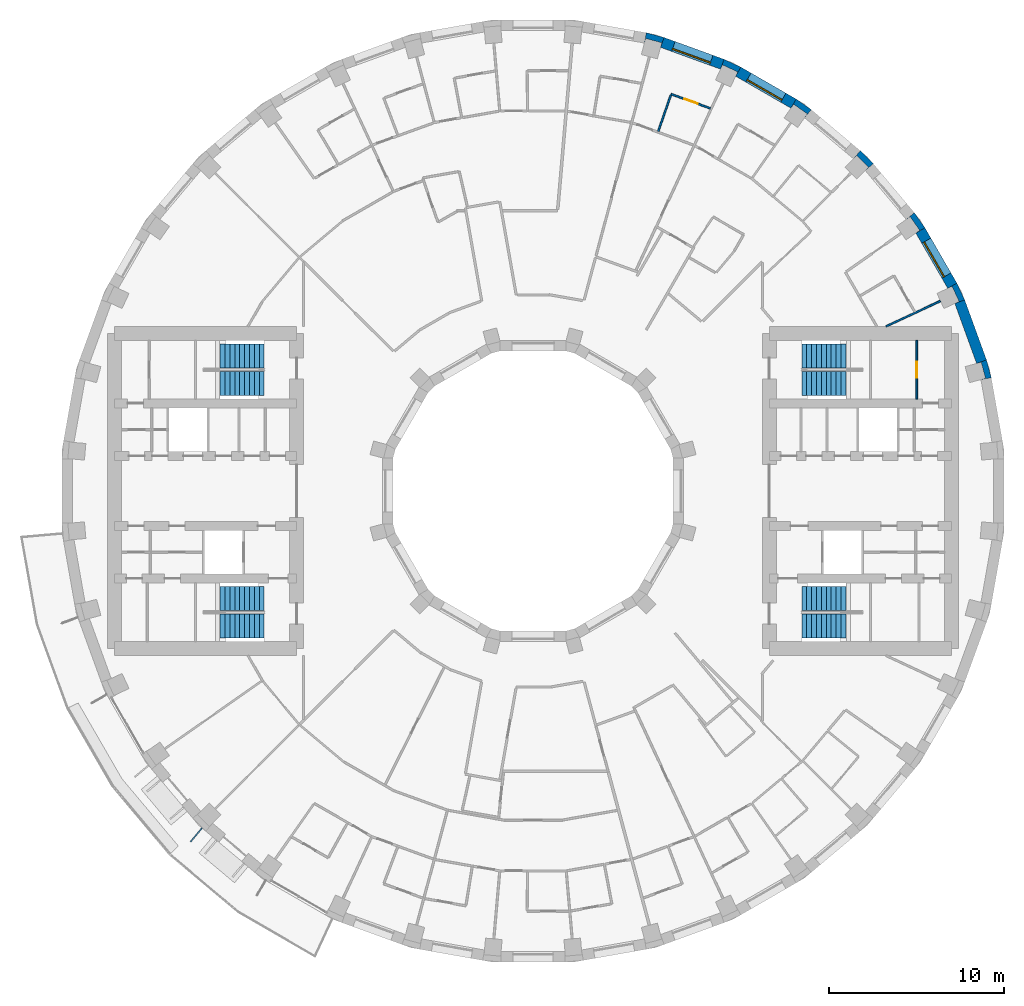
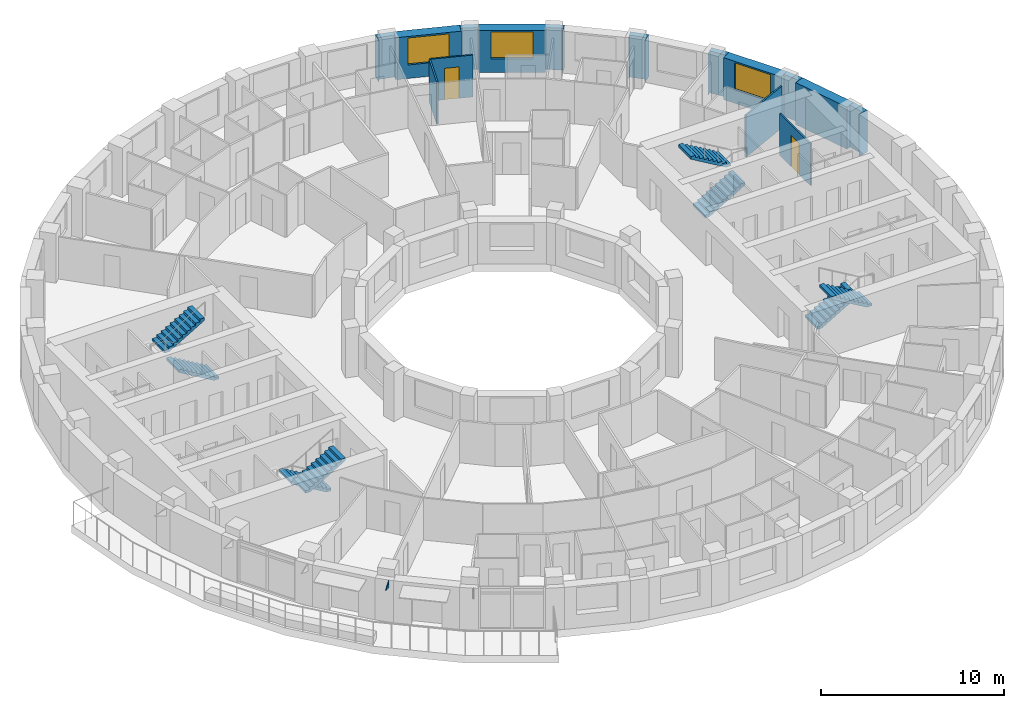
# One storey, part 14 of 16: 15 walls, 8 stair flights, 3 windows, 2 doors, 1 discrete accessory, 5 openings, 4 elements without a shape of their own.
"""IFC4 building model written with IfcOpenShell, lengths in metres."""

from ifc_helpers import new_model, si_unit, direction, frame, frame_2d, origin, place, context, subcontext, project, spatial, polyline, rectangle, outline, extrude, material, layer, layer_set, type_object, element, fill, aggregate, save


model = new_model("IFC4")

# Units and contexts
model_context = context("Model", 3, precision=1e-05, world=origin(), true_north=direction((0.0, 1.0)))
body_context = subcontext(model_context, "Body", "Model", "MODEL_VIEW")
ifc_project = project(units=[si_unit("LENGTHUNIT", "METRE"), si_unit("AREAUNIT", "SQUARE_METRE"), si_unit("VOLUMEUNIT", "CUBIC_METRE"), si_unit("PLANEANGLEUNIT", "RADIAN"), si_unit("MASSUNIT", "GRAM", prefix="KILO")], contexts=[model_context])

# Site, building, storey
site_placement = place(None, origin())
site = spatial("IfcSite", under=ifc_project, at=site_placement, CompositionType="ELEMENT")
building_placement = place(site_placement, origin())
building = spatial("IfcBuilding", under=site, at=building_placement, Name="Saqina Gate Tower", CompositionType="ELEMENT")
storey_placement = place(building_placement, frame((0.0, 0.0, 124.89990234375)))
storey = spatial("IfcBuildingStorey", under=building, at=storey_placement, Name="L35", CompositionType="ELEMENT", Elevation=124.89990234375)

# Walls
ifc_material_1 = material(Name="Brick masonry (buff)", Category="masonry")
wall_type_1 = type_object("IfcWallType", Name="BRICK PIER COPING BUFF", PredefinedType="SOLIDWALL", material=ifc_material_1)
wall_1_placement = place(storey_placement, origin())
element("IfcWall", 1, at=wall_1_placement, inside=storey, type_object=wall_type_1, Name="Pier cap L35 column 2", PredefinedType="SOLIDWALL", context=body_context, shape_type="SweptSolid", body=[
    extrude(outline(polyline([(26.171875, 6.466796875), (25.89892578125, 7.485595703125), (25.335205078125, 7.2802734375), (25.5947265625, 7.349853515625), (25.8408203125, 6.43212890625), (25.5810546875, 6.36279296875), (26.171875, 6.466796875)])), origin(), (0.0, 0.0, 1.0), 2.800048828125),
])
wall_2_placement = place(storey_placement, origin())
element("IfcWall", 2, at=wall_2_placement, inside=storey, type_object=wall_type_1, Name="Pier cap L35 column 3", PredefinedType="SOLIDWALL", context=body_context, shape_type="SweptSolid", body=[
    extrude(outline(polyline([(24.6513671875, 10.913330078125), (24.205810546875, 11.869140625), (23.68603515625, 11.569091796875), (23.9296875, 11.6826171875), (24.331298828125, 10.82177734375), (24.08740234375, 10.7080078125), (24.6513671875, 10.913330078125)])), origin(), (0.0, 0.0, 1.0), 2.800048828125),
])
wall_3_placement = place(storey_placement, origin())
element("IfcWall", 3, at=wall_3_placement, inside=storey, type_object=wall_type_1, Name="Pier cap L35 column 4", PredefinedType="SOLIDWALL", context=body_context, shape_type="SweptSolid", body=[
    extrude(outline(polyline([(21.77685546875, 15.89208984375), (21.317138671875, 15.50634765625), (21.53759765625, 15.66064453125), (22.08251953125, 14.88232421875), (21.862060546875, 14.728271484375), (22.3818359375, 15.0283203125), (21.77685546875, 15.89208984375)])), origin(), (0.0, 0.0, 1.0), 2.800048828125),
])
wall_4_placement = place(storey_placement, origin())
element("IfcWall", 4, at=wall_4_placement, inside=storey, type_object=wall_type_1, Name="Pier cap L35 column 5", PredefinedType="SOLIDWALL", context=body_context, shape_type="SweptSolid", body=[
    extrude(outline(polyline([(19.43212890625, 18.686279296875), (18.686279296875, 19.43212890625), (18.30078125, 18.972412109375), (18.49072265625, 19.16259765625), (19.16259765625, 18.49072265625), (18.972412109375, 18.30078125), (19.43212890625, 18.686279296875)])), origin(), (0.0, 0.0, 1.0), 2.800048828125),
])
wall_5_placement = place(storey_placement, origin())
element("IfcWall", 5, at=wall_5_placement, inside=storey, type_object=wall_type_1, Name="Pier cap L35 column 6", PredefinedType="SOLIDWALL", context=body_context, shape_type="SweptSolid", body=[
    extrude(outline(polyline([(15.0283203125, 22.3818359375), (14.728271484375, 21.862060546875), (14.88232421875, 22.08251953125), (15.66064453125, 21.53759765625), (15.50634765625, 21.317138671875), (15.89208984375, 21.77685546875), (15.0283203125, 22.3818359375)])), origin(), (0.0, 0.0, 1.0), 2.800048828125),
])
wall_6_placement = place(storey_placement, origin())
element("IfcWall", 6, at=wall_6_placement, inside=storey, type_object=wall_type_1, Name="Pier cap L35 column 7", PredefinedType="SOLIDWALL", context=body_context, shape_type="SweptSolid", body=[
    extrude(outline(polyline([(10.913330078125, 24.6513671875), (10.7080078125, 24.08740234375), (10.82177734375, 24.331298828125), (11.6826171875, 23.9296875), (11.569091796875, 23.68603515625), (11.869140625, 24.205810546875), (10.913330078125, 24.6513671875)])), origin(), (0.0, 0.0, 1.0), 2.800048828125),
])
wall_7_placement = place(storey_placement, origin())
element("IfcWall", 7, at=wall_7_placement, inside=storey, type_object=wall_type_1, Name="Pier cap L35 column 8", PredefinedType="SOLIDWALL", context=body_context, shape_type="SweptSolid", body=[
    extrude(outline(polyline([(7.485595703125, 25.89892578125), (6.466796875, 26.171875), (6.36279296875, 25.5810546875), (6.43212890625, 25.8408203125), (7.349853515625, 25.5947265625), (7.2802734375, 25.335205078125), (7.485595703125, 25.89892578125)])), origin(), (0.0, 0.0, 1.0), 2.800048828125),
])

# Wall, opening, door
ifc_material_2 = material(Name="Gypsum board on steel studs", Category="steel")
ifc_layer_1 = layer(ifc_material_2, 0.10009765625)
ifc_layer_set_1 = layer_set([ifc_layer_1], Name="CORE PARTITION")
wall_type_2 = type_object("IfcWallType", Name="CORE PARTITION", PredefinedType="PARTITIONING", material=ifc_layer_set_1)
wall_8_placement = place(storey_placement, frame((21.91162109375, 5.25, 0.0), z_axis=(0.0, 0.0, 1.0), x_axis=(0.0, 1.0, 0.0)))
wall_8 = element("IfcWall", 8, at=wall_8_placement, inside=storey, type_object=wall_type_2, Name="L35-CP-E14", PredefinedType="PARTITIONING", context=body_context, shape_type="SweptSolid", body=[
    extrude(rectangle(XDim=3.35009765625, YDim=0.10009765625, at=frame_2d((1.675048828125, 0.0))), origin(), (0.0, 0.0, 1.0), 2.800048828125),
])
opening_1_placement = place(wall_8_placement, frame((1.22509765625, 0.0, 0.0)))
opening_1 = element("IfcOpeningElement", 9, at=opening_1_placement, cuts=wall_8, Name="Opening G10-D100", PredefinedType="OPENING", context=body_context, shape_type="SweptSolid", body=[
    extrude(rectangle(XDim=0.89990234375, YDim=2.10009765625, at=frame_2d((0.449951171875, 1.050048828125))), frame((0.0, 0.06201171875, 0.0), z_axis=(0.0, -1.0, 0.0), x_axis=(1.0, 0.0, 0.0)), (0.0, 0.0, 1.0), 0.1240234375),
])
ifc_material_3 = material(Name="Steel-framed fire door leaf, EI 60", Category="steel")
door_type_1 = type_object("IfcDoorType", Name="SERVICE ROOM DOOR 900", OperationType="SINGLE_SWING_LEFT", PredefinedType="DOOR", material=ifc_material_3)
door_1_placement = place(opening_1_placement, origin())
door_1 = element("IfcDoor", 10, at=door_1_placement, inside=storey, type_object=door_type_1, Name="L35-CD-E11", OperationType="SINGLE_SWING_RIGHT", OverallHeight=2.10009765625, OverallWidth=0.89990234375, PredefinedType="DOOR", context=body_context, shape_type="SweptSolid", body=[
    extrude(rectangle(XDim=0.89990234375, YDim=2.10009765625, at=frame_2d((0.449951171875, 1.050048828125))), frame((0.0, 0.02490234375, 0.0), z_axis=(0.0, -1.0, 0.0), x_axis=(1.0, 0.0, 0.0)), (0.0, 0.0, 1.0), 0.050048828125),
])
fill(opening_1, door_1)

# Wall, opening, window
ifc_material_4 = material(Name="Brick masonry (buff)", Category="masonry")
ifc_layer_2 = layer(ifc_material_4, 0.60009765625)
ifc_layer_set_2 = layer_set([ifc_layer_2], Name="FW-BRICK-BUFF")
wall_type_3 = type_object("IfcWallType", Name="FW-BRICK-BUFF", PredefinedType="SOLIDWALL", material=ifc_layer_set_2)
wall_9_placement = place(storey_placement, frame((23.94580078125, 11.718994140625, 0.0), z_axis=(0.0, 0.0, 1.0), x_axis=(-0.499954196102, 0.866051847062, 0.0)))
wall_9 = element("IfcWall", 11, at=wall_9_placement, inside=storey, type_object=wall_type_3, Name="Facade wall L35 facet 3", PredefinedType="SOLIDWALL", context=body_context, shape_type="SweptSolid", body=[
    extrude(rectangle(XDim=3.647705078125, YDim=0.60009765625, at=frame_2d((1.82373046875, 0.0))), origin(), (0.0, 0.0, 1.0), 2.800048828125),
])
opening_2_placement = place(wall_9_placement, frame((0.673828125, 0.0, 0.89990234375)))
opening_2 = element("IfcOpeningElement", 12, at=opening_2_placement, cuts=wall_9, Name="Opening G10-W01", PredefinedType="OPENING", context=body_context, shape_type="SweptSolid", body=[
    extrude(rectangle(XDim=2.300048828125, YDim=1.800048828125, at=frame_2d((1.14990234375, 0.89990234375))), frame((0.0, 0.31201171875, 0.0), z_axis=(0.0, -1.0, 0.0), x_axis=(1.0, 0.0, 0.0)), (0.0, 0.0, 1.0), 0.6240234375),
])
ifc_material_5 = material(Name="Aluminium glazing", Category="aluminium")
window_type = type_object("IfcWindowType", Name="WN-B", PartitioningType="SINGLE_PANEL", PredefinedType="WINDOW", material=ifc_material_5)
window_1_placement = place(opening_2_placement, origin())
window_1 = element("IfcWindow", 13, at=window_1_placement, inside=storey, type_object=window_type, Name="Window L35 facet 3", OverallHeight=1.800048828125, OverallWidth=2.300048828125, PartitioningType="SINGLE_PANEL", PredefinedType="WINDOW", context=body_context, shape_type="SweptSolid", body=[
    extrude(rectangle(XDim=2.300048828125, YDim=1.800048828125, at=frame_2d((1.14990234375, 0.89990234375))), frame((0.0, 0.179931640625, 0.0), z_axis=(0.0, -1.0, 0.0), x_axis=(1.0, 0.0, 0.0)), (0.0, 0.0, 1.0), 0.06005859375),
])
fill(opening_2, window_1)

wall_10_placement = place(storey_placement, frame((14.878173828125, 22.1220703125, 0.0), z_axis=(0.0, 0.0, 1.0), x_axis=(-0.866051847062, 0.499954196102, 0.0)))
wall_10 = element("IfcWall", 14, at=wall_10_placement, inside=storey, type_object=wall_type_3, Name="Facade wall L35 facet 6", PredefinedType="SOLIDWALL", context=body_context, shape_type="SweptSolid", body=[
    extrude(rectangle(XDim=3.647705078125, YDim=0.60009765625, at=frame_2d((1.82373046875, 0.0))), origin(), (0.0, 0.0, 1.0), 2.800048828125),
])
opening_3_placement = place(wall_10_placement, frame((0.673828125, 0.0, 0.89990234375)))
opening_3 = element("IfcOpeningElement", 15, at=opening_3_placement, cuts=wall_10, Name="Opening G10-W04", PredefinedType="OPENING", context=body_context, shape_type="SweptSolid", body=[
    extrude(rectangle(XDim=2.300048828125, YDim=1.800048828125, at=frame_2d((1.14990234375, 0.89990234375))), frame((0.0, 0.31201171875, 0.0), z_axis=(0.0, -1.0, 0.0), x_axis=(1.0, 0.0, 0.0)), (0.0, 0.0, 1.0), 0.6240234375),
])
window_2_placement = place(opening_3_placement, origin())
window_2 = element("IfcWindow", 16, at=window_2_placement, inside=storey, type_object=window_type, Name="Window L35 facet 6", OverallHeight=1.800048828125, OverallWidth=2.300048828125, PartitioningType="SINGLE_PANEL", PredefinedType="WINDOW", context=body_context, shape_type="SweptSolid", body=[
    extrude(rectangle(XDim=2.300048828125, YDim=1.800048828125, at=frame_2d((1.14990234375, 0.89990234375))), frame((0.0, 0.179931640625, 0.0), z_axis=(0.0, -1.0, 0.0), x_axis=(1.0, 0.0, 0.0)), (0.0, 0.0, 1.0), 0.06005859375),
])
fill(opening_3, window_2)

wall_11_placement = place(storey_placement, frame((10.810791015625, 24.369384765625, 0.0), z_axis=(0.0, 0.0, 1.0), x_axis=(-0.939703505393, 0.341990236633, 0.0)))
wall_11 = element("IfcWall", 17, at=wall_11_placement, inside=storey, type_object=wall_type_3, Name="Facade wall L35 facet 7", PredefinedType="SOLIDWALL", context=body_context, shape_type="SweptSolid", body=[
    extrude(rectangle(XDim=3.64794921875, YDim=0.60009765625, at=frame_2d((1.823974609375, 0.0))), origin(), (0.0, 0.0, 1.0), 2.800048828125),
])
opening_4_placement = place(wall_11_placement, frame((0.673828125, 0.0, 0.89990234375)))
opening_4 = element("IfcOpeningElement", 18, at=opening_4_placement, cuts=wall_11, Name="Opening G10-W05", PredefinedType="OPENING", context=body_context, shape_type="SweptSolid", body=[
    extrude(rectangle(XDim=2.300048828125, YDim=1.800048828125, at=frame_2d((1.14990234375, 0.89990234375))), frame((0.0, 0.31201171875, 0.0), z_axis=(0.0, -1.0, 0.0), x_axis=(1.0, 0.0, 0.0)), (0.0, 0.0, 1.0), 0.6240234375),
])
window_3_placement = place(opening_4_placement, origin())
window_3 = element("IfcWindow", 19, at=window_3_placement, inside=storey, type_object=window_type, Name="Window L35 facet 7", OverallHeight=1.800048828125, OverallWidth=2.300048828125, PartitioningType="SINGLE_PANEL", PredefinedType="WINDOW", context=body_context, shape_type="SweptSolid", body=[
    extrude(rectangle(XDim=2.300048828125, YDim=1.800048828125, at=frame_2d((1.14990234375, 0.89990234375))), frame((0.0, 0.179931640625, 0.0), z_axis=(0.0, -1.0, 0.0), x_axis=(1.0, 0.0, 0.0)), (0.0, 0.0, 1.0), 0.06005859375),
])
fill(opening_4, window_3)

# Wall
ifc_material_6 = material(Name="Glazed ceramic tile", Category="ceramic")
ifc_layer_3 = layer(ifc_material_6, 0.60009765625)
ifc_layer_set_3 = layer_set([ifc_layer_3], Name="FW-TILE")
wall_type_4 = type_object("IfcWallType", Name="FW-TILE", PredefinedType="SOLIDWALL", material=ifc_layer_set_3)
wall_12_placement = place(storey_placement, frame((25.616943359375, 7.3828125, 0.0), z_axis=(0.0, 0.0, 1.0), x_axis=(-0.341990236633, 0.939703505393, 0.0)))
element("IfcWall", 20, at=wall_12_placement, inside=storey, type_object=wall_type_4, Name="Facade wall L35 facet 2", PredefinedType="SOLIDWALL", context=body_context, shape_type="SweptSolid", body=[
    extrude(rectangle(XDim=3.64794921875, YDim=0.60009765625, at=frame_2d((1.823974609375, 0.0))), origin(), (0.0, 0.0, 1.0), 2.800048828125),
])

# Wall, opening, door
ifc_material_7 = material(Name="Gypsum board on steel studs, 100 mm", Category="steel")
ifc_layer_4 = layer(ifc_material_7, 0.10009765625)
ifc_layer_set_4 = layer_set([ifc_layer_4], Name="PARTITION 100")
wall_type_5 = type_object("IfcWallType", Name="PARTITION 100", PredefinedType="PARTITIONING", material=ifc_layer_set_4)
wall_13_placement = place(storey_placement, frame((7.888916015625, 22.666015625, 0.0), z_axis=(0.0, 0.0, 1.0), x_axis=(0.939679950861, -0.342054951652, 0.0)))
wall_13 = element("IfcWall", 21, at=wall_13_placement, inside=storey, type_object=wall_type_5, Name="PARTITION PW3-44", PredefinedType="PARTITIONING", context=body_context, shape_type="SweptSolid", body=[
    extrude(rectangle(XDim=2.38818359375, YDim=0.10009765625, at=frame_2d((1.194091796875, 0.0))), origin(), (0.0, 0.0, 1.0), 2.800048828125),
])
opening_5_placement = place(wall_13_placement, frame((0.819091796875, 0.0, 0.0)))
opening_5 = element("IfcOpeningElement", 22, at=opening_5_placement, cuts=wall_13, Name="Opening G10-D11", PredefinedType="OPENING", context=body_context, shape_type="SweptSolid", body=[
    extrude(rectangle(XDim=0.800048828125, YDim=2.10009765625, at=frame_2d((0.39990234375, 1.050048828125))), frame((0.0, 0.06201171875, 0.0), z_axis=(0.0, -1.0, 0.0), x_axis=(1.0, 0.0, 0.0)), (0.0, 0.0, 1.0), 0.1240234375),
])
ifc_material_8 = material(Name="Timber door leaf, 800 mm", Category="wood")
door_type_2 = type_object("IfcDoorType", Name="DOOR 800 TIMBER", OperationType="SINGLE_SWING_LEFT", PredefinedType="DOOR", material=ifc_material_8)
door_2_placement = place(opening_5_placement, origin())
door_2 = element("IfcDoor", 23, at=door_2_placement, inside=storey, type_object=door_type_2, Name="DOOR G10-D11", OperationType="SINGLE_SWING_RIGHT", OverallHeight=2.10009765625, OverallWidth=0.800048828125, PredefinedType="DOOR", context=body_context, shape_type="SweptSolid", body=[
    extrude(rectangle(XDim=0.800048828125, YDim=2.10009765625, at=frame_2d((0.39990234375, 1.050048828125))), frame((0.0, 0.02490234375, 0.0), z_axis=(0.0, -1.0, 0.0), x_axis=(1.0, 0.0, 0.0)), (0.0, 0.0, 1.0), 0.050048828125),
])
fill(opening_5, door_2)

# Walls
wall_14_placement = place(storey_placement, frame((20.158447265625, 9.399169921875, 0.0), z_axis=(0.0, 0.0, 1.0), x_axis=(0.906223222272, 0.422799564114, 0.0)))
element("IfcWall", 24, at=wall_14_placement, inside=storey, type_object=wall_type_5, Name="PARTITION PW3-68", PredefinedType="PARTITIONING", context=body_context, shape_type="SweptSolid", body=[
    extrude(rectangle(XDim=3.423095703125, YDim=0.10009765625, at=frame_2d((1.71142578125, 0.0))), origin(), (0.0, 0.0, 1.0), 2.800048828125),
])
wall_15_placement = place(storey_placement, frame((7.1494140625, 20.541259765625, 0.0), z_axis=(0.0, 0.0, 1.0), x_axis=(0.328718620018, 0.944427905588, 0.0)))
element("IfcWall", 25, at=wall_15_placement, inside=storey, type_object=wall_type_5, Name="PARTITION PW3-100", PredefinedType="PARTITIONING", context=body_context, shape_type="SweptSolid", body=[
    extrude(rectangle(XDim=2.199951171875, YDim=0.10009765625, at=frame_2d((1.10009765625, 0.0))), origin(), (0.0, 0.0, 1.0), 2.800048828125),
])

# Stair, stair flights
ifc_material_9 = material(Name="Concrete C40/50", Category="concrete")
stair_type = type_object("IfcStairType", Name="EXIT STAIR", PredefinedType="HALF_TURN_STAIR", material=ifc_material_9)
stair_1_placement = place(storey_placement, origin())
stair_1 = element("IfcStair", 26, at=stair_1_placement, inside=storey, type_object=stair_type, Name="EXIT STAIR 1", PredefinedType="HALF_TURN_STAIR")
ifc_material_10 = material(Name="Concrete C40/50", Category="concrete")
stair_flight_type = type_object("IfcStairFlightType", Name="EXIT STAIR FLIGHT", PredefinedType="STRAIGHT", material=ifc_material_10)
stair_flight_1_placement = place(storey_placement, frame((15.35009765625, 6.1416015625, 0.0), z_axis=(0.0, 0.0, 1.0), x_axis=(1.0, 0.0, 0.0)))
stair_flight_1 = element("IfcStairFlight", 27, at=stair_flight_1_placement, type_object=stair_flight_type, Name="EXIT STAIR 1 FLIGHT 1", NumberOfRisers=10, NumberOfTreads=9, PredefinedType="STRAIGHT", RiserHeight=0.165, TreadLength=0.28, context=body_context, shape_type="SweptSolid", body=[
    extrude(outline(polyline([(0.0, 0.0), (0.0, 0.1650390625), (0.280029296875, 0.1650390625), (0.280029296875, 0.330078125), (0.56005859375, 0.330078125), (0.56005859375, 0.4951171875), (0.840087890625, 0.4951171875), (0.840087890625, 0.659912109375), (1.1201171875, 0.659912109375), (1.1201171875, 0.824951171875), (1.39990234375, 0.824951171875), (1.39990234375, 0.989990234375), (1.679931640625, 0.989990234375), (1.679931640625, 1.155029296875), (1.9599609375, 1.155029296875), (1.9599609375, 1.320068359375), (2.239990234375, 1.320068359375), (2.239990234375, 1.485107421875), (2.52001953125, 1.485107421875), (2.52001953125, 1.64990234375), (2.52001953125, 1.31103515625), (0.295166015625, 0.0), (0.0, 0.0)])), frame((0.0, 0.675048828125, 0.0), z_axis=(0.0, -1.0, 0.0), x_axis=(1.0, 0.0, 0.0)), (0.0, 0.0, 1.0), 1.35009765625),
])
stair_flight_2_placement = place(storey_placement, frame((17.8701171875, 7.708251953125, 1.650146484375), z_axis=(0.0, 0.0, 1.0), x_axis=(-1.0, 0.0, 0.0)))
stair_flight_2 = element("IfcStairFlight", 28, at=stair_flight_2_placement, type_object=stair_flight_type, Name="EXIT STAIR 1 FLIGHT 2", NumberOfRisers=10, NumberOfTreads=9, PredefinedType="STRAIGHT", RiserHeight=0.165, TreadLength=0.28, context=body_context, shape_type="SweptSolid", body=[
    extrude(outline(polyline([(0.0, 0.0), (0.0, 0.1650390625), (0.280029296875, 0.1650390625), (0.280029296875, 0.330078125), (0.56005859375, 0.330078125), (0.56005859375, 0.4951171875), (0.840087890625, 0.4951171875), (0.840087890625, 0.659912109375), (1.1201171875, 0.659912109375), (1.1201171875, 0.824951171875), (1.39990234375, 0.824951171875), (1.39990234375, 0.989990234375), (1.679931640625, 0.989990234375), (1.679931640625, 1.155029296875), (1.9599609375, 1.155029296875), (1.9599609375, 1.320068359375), (2.239990234375, 1.320068359375), (2.239990234375, 1.485107421875), (2.52001953125, 1.485107421875), (2.52001953125, 1.64990234375), (2.52001953125, 1.31103515625), (0.295166015625, 0.0), (0.0, 0.0)])), frame((0.0, 0.675048828125, 0.0), z_axis=(0.0, -1.0, 0.0), x_axis=(1.0, 0.0, 0.0)), (0.0, 0.0, 1.0), 1.35009765625),
])
aggregate(stair_1, [stair_flight_1, stair_flight_2])

stair_2_placement = place(storey_placement, origin())
stair_2 = element("IfcStair", 29, at=stair_2_placement, inside=storey, type_object=stair_type, Name="EXIT STAIR 2", PredefinedType="HALF_TURN_STAIR")
stair_flight_3_placement = place(storey_placement, frame((15.35009765625, -6.1416015625, 0.0), z_axis=(0.0, 0.0, 1.0), x_axis=(1.0, 0.0, 0.0)))
stair_flight_3 = element("IfcStairFlight", 30, at=stair_flight_3_placement, type_object=stair_flight_type, Name="EXIT STAIR 2 FLIGHT 1", NumberOfRisers=10, NumberOfTreads=9, PredefinedType="STRAIGHT", RiserHeight=0.165, TreadLength=0.28, context=body_context, shape_type="SweptSolid", body=[
    extrude(outline(polyline([(0.0, 0.0), (0.0, 0.1650390625), (0.280029296875, 0.1650390625), (0.280029296875, 0.330078125), (0.56005859375, 0.330078125), (0.56005859375, 0.4951171875), (0.840087890625, 0.4951171875), (0.840087890625, 0.659912109375), (1.1201171875, 0.659912109375), (1.1201171875, 0.824951171875), (1.39990234375, 0.824951171875), (1.39990234375, 0.989990234375), (1.679931640625, 0.989990234375), (1.679931640625, 1.155029296875), (1.9599609375, 1.155029296875), (1.9599609375, 1.320068359375), (2.239990234375, 1.320068359375), (2.239990234375, 1.485107421875), (2.52001953125, 1.485107421875), (2.52001953125, 1.64990234375), (2.52001953125, 1.31103515625), (0.295166015625, 0.0), (0.0, 0.0)])), frame((0.0, 0.675048828125, 0.0), z_axis=(0.0, -1.0, 0.0), x_axis=(1.0, 0.0, 0.0)), (0.0, 0.0, 1.0), 1.35009765625),
])
stair_flight_4_placement = place(storey_placement, frame((17.8701171875, -7.708251953125, 1.650146484375), z_axis=(0.0, 0.0, 1.0), x_axis=(-1.0, 0.0, 0.0)))
stair_flight_4 = element("IfcStairFlight", 31, at=stair_flight_4_placement, type_object=stair_flight_type, Name="EXIT STAIR 2 FLIGHT 2", NumberOfRisers=10, NumberOfTreads=9, PredefinedType="STRAIGHT", RiserHeight=0.165, TreadLength=0.28, context=body_context, shape_type="SweptSolid", body=[
    extrude(outline(polyline([(0.0, 0.0), (0.0, 0.1650390625), (0.280029296875, 0.1650390625), (0.280029296875, 0.330078125), (0.56005859375, 0.330078125), (0.56005859375, 0.4951171875), (0.840087890625, 0.4951171875), (0.840087890625, 0.659912109375), (1.1201171875, 0.659912109375), (1.1201171875, 0.824951171875), (1.39990234375, 0.824951171875), (1.39990234375, 0.989990234375), (1.679931640625, 0.989990234375), (1.679931640625, 1.155029296875), (1.9599609375, 1.155029296875), (1.9599609375, 1.320068359375), (2.239990234375, 1.320068359375), (2.239990234375, 1.485107421875), (2.52001953125, 1.485107421875), (2.52001953125, 1.64990234375), (2.52001953125, 1.31103515625), (0.295166015625, 0.0), (0.0, 0.0)])), frame((0.0, 0.675048828125, 0.0), z_axis=(0.0, -1.0, 0.0), x_axis=(1.0, 0.0, 0.0)), (0.0, 0.0, 1.0), 1.35009765625),
])
aggregate(stair_2, [stair_flight_3, stair_flight_4])

stair_3_placement = place(storey_placement, origin())
stair_3 = element("IfcStair", 32, at=stair_3_placement, inside=storey, type_object=stair_type, Name="EXIT STAIR 3", PredefinedType="HALF_TURN_STAIR")
stair_flight_5_placement = place(storey_placement, frame((-15.35009765625, 6.1416015625, 0.0), z_axis=(0.0, 0.0, 1.0), x_axis=(-1.0, 0.0, 0.0)))
stair_flight_5 = element("IfcStairFlight", 33, at=stair_flight_5_placement, type_object=stair_flight_type, Name="EXIT STAIR 3 FLIGHT 1", NumberOfRisers=10, NumberOfTreads=9, PredefinedType="STRAIGHT", RiserHeight=0.165, TreadLength=0.28, context=body_context, shape_type="SweptSolid", body=[
    extrude(outline(polyline([(0.0, 0.0), (0.0, 0.1650390625), (0.280029296875, 0.1650390625), (0.280029296875, 0.330078125), (0.56005859375, 0.330078125), (0.56005859375, 0.4951171875), (0.840087890625, 0.4951171875), (0.840087890625, 0.659912109375), (1.1201171875, 0.659912109375), (1.1201171875, 0.824951171875), (1.39990234375, 0.824951171875), (1.39990234375, 0.989990234375), (1.679931640625, 0.989990234375), (1.679931640625, 1.155029296875), (1.9599609375, 1.155029296875), (1.9599609375, 1.320068359375), (2.239990234375, 1.320068359375), (2.239990234375, 1.485107421875), (2.52001953125, 1.485107421875), (2.52001953125, 1.64990234375), (2.52001953125, 1.31103515625), (0.295166015625, 0.0), (0.0, 0.0)])), frame((0.0, 0.675048828125, 0.0), z_axis=(0.0, -1.0, 0.0), x_axis=(1.0, 0.0, 0.0)), (0.0, 0.0, 1.0), 1.35009765625),
])
stair_flight_6_placement = place(storey_placement, frame((-17.8701171875, 7.708251953125, 1.650146484375), z_axis=(0.0, 0.0, 1.0), x_axis=(1.0, 0.0, 0.0)))
stair_flight_6 = element("IfcStairFlight", 34, at=stair_flight_6_placement, type_object=stair_flight_type, Name="EXIT STAIR 3 FLIGHT 2", NumberOfRisers=10, NumberOfTreads=9, PredefinedType="STRAIGHT", RiserHeight=0.165, TreadLength=0.28, context=body_context, shape_type="SweptSolid", body=[
    extrude(outline(polyline([(0.0, 0.0), (0.0, 0.1650390625), (0.280029296875, 0.1650390625), (0.280029296875, 0.330078125), (0.56005859375, 0.330078125), (0.56005859375, 0.4951171875), (0.840087890625, 0.4951171875), (0.840087890625, 0.659912109375), (1.1201171875, 0.659912109375), (1.1201171875, 0.824951171875), (1.39990234375, 0.824951171875), (1.39990234375, 0.989990234375), (1.679931640625, 0.989990234375), (1.679931640625, 1.155029296875), (1.9599609375, 1.155029296875), (1.9599609375, 1.320068359375), (2.239990234375, 1.320068359375), (2.239990234375, 1.485107421875), (2.52001953125, 1.485107421875), (2.52001953125, 1.64990234375), (2.52001953125, 1.31103515625), (0.295166015625, 0.0), (0.0, 0.0)])), frame((0.0, 0.675048828125, 0.0), z_axis=(0.0, -1.0, 0.0), x_axis=(1.0, 0.0, 0.0)), (0.0, 0.0, 1.0), 1.35009765625),
])
aggregate(stair_3, [stair_flight_5, stair_flight_6])

stair_4_placement = place(storey_placement, origin())
stair_4 = element("IfcStair", 35, at=stair_4_placement, inside=storey, type_object=stair_type, Name="EXIT STAIR 4", PredefinedType="HALF_TURN_STAIR")
stair_flight_7_placement = place(storey_placement, frame((-15.35009765625, -6.1416015625, 0.0), z_axis=(0.0, 0.0, 1.0), x_axis=(-1.0, 0.0, 0.0)))
stair_flight_7 = element("IfcStairFlight", 36, at=stair_flight_7_placement, type_object=stair_flight_type, Name="EXIT STAIR 4 FLIGHT 1", NumberOfRisers=10, NumberOfTreads=9, PredefinedType="STRAIGHT", RiserHeight=0.165, TreadLength=0.28, context=body_context, shape_type="SweptSolid", body=[
    extrude(outline(polyline([(0.0, 0.0), (0.0, 0.1650390625), (0.280029296875, 0.1650390625), (0.280029296875, 0.330078125), (0.56005859375, 0.330078125), (0.56005859375, 0.4951171875), (0.840087890625, 0.4951171875), (0.840087890625, 0.659912109375), (1.1201171875, 0.659912109375), (1.1201171875, 0.824951171875), (1.39990234375, 0.824951171875), (1.39990234375, 0.989990234375), (1.679931640625, 0.989990234375), (1.679931640625, 1.155029296875), (1.9599609375, 1.155029296875), (1.9599609375, 1.320068359375), (2.239990234375, 1.320068359375), (2.239990234375, 1.485107421875), (2.52001953125, 1.485107421875), (2.52001953125, 1.64990234375), (2.52001953125, 1.31103515625), (0.295166015625, 0.0), (0.0, 0.0)])), frame((0.0, 0.675048828125, 0.0), z_axis=(0.0, -1.0, 0.0), x_axis=(1.0, 0.0, 0.0)), (0.0, 0.0, 1.0), 1.35009765625),
])
stair_flight_8_placement = place(storey_placement, frame((-17.8701171875, -7.708251953125, 1.650146484375), z_axis=(0.0, 0.0, 1.0), x_axis=(1.0, 0.0, 0.0)))
stair_flight_8 = element("IfcStairFlight", 37, at=stair_flight_8_placement, type_object=stair_flight_type, Name="EXIT STAIR 4 FLIGHT 2", NumberOfRisers=10, NumberOfTreads=9, PredefinedType="STRAIGHT", RiserHeight=0.165, TreadLength=0.28, context=body_context, shape_type="SweptSolid", body=[
    extrude(outline(polyline([(0.0, 0.0), (0.0, 0.1650390625), (0.280029296875, 0.1650390625), (0.280029296875, 0.330078125), (0.56005859375, 0.330078125), (0.56005859375, 0.4951171875), (0.840087890625, 0.4951171875), (0.840087890625, 0.659912109375), (1.1201171875, 0.659912109375), (1.1201171875, 0.824951171875), (1.39990234375, 0.824951171875), (1.39990234375, 0.989990234375), (1.679931640625, 0.989990234375), (1.679931640625, 1.155029296875), (1.9599609375, 1.155029296875), (1.9599609375, 1.320068359375), (2.239990234375, 1.320068359375), (2.239990234375, 1.485107421875), (2.52001953125, 1.485107421875), (2.52001953125, 1.64990234375), (2.52001953125, 1.31103515625), (0.295166015625, 0.0), (0.0, 0.0)])), frame((0.0, 0.675048828125, 0.0), z_axis=(0.0, -1.0, 0.0), x_axis=(1.0, 0.0, 0.0)), (0.0, 0.0, 1.0), 1.35009765625),
])
aggregate(stair_4, [stair_flight_7, stair_flight_8])

# Discrete accessory
ifc_material_11 = material(Name="Galvanised steel", Category="steel")
ifc_layer_5 = layer(ifc_material_11, 0.050048828125)
ifc_layer_set_5 = layer_set([ifc_layer_5], Name="BR-GUSSET")
discrete_accessory_type = type_object("IfcDiscreteAccessoryType", Name="BR-GUSSET", PredefinedType="BRACKET", material=ifc_layer_set_5)
discrete_accessory_placement = place(storey_placement, frame((-18.881103515625, -19.2685546875, 2.300048828125), z_axis=(0.766055819685, -0.64277405138, 0.0), x_axis=(0.0, 0.0, 1.0)))
element("IfcDiscreteAccessory", 38, at=discrete_accessory_placement, inside=storey, type_object=discrete_accessory_type, Name="Terrace slab bracket L36 4", PredefinedType="BRACKET", context=body_context, shape_type="SweptSolid", body=[
    extrude(outline(polyline([(0.0, 0.0), (0.5, 0.0), (0.5, 1.0000750096322275), (0.0, 0.0)])), origin(), (0.0, 0.0, -1.0), 0.050048828125),
])

save(model, "model.ifc")
